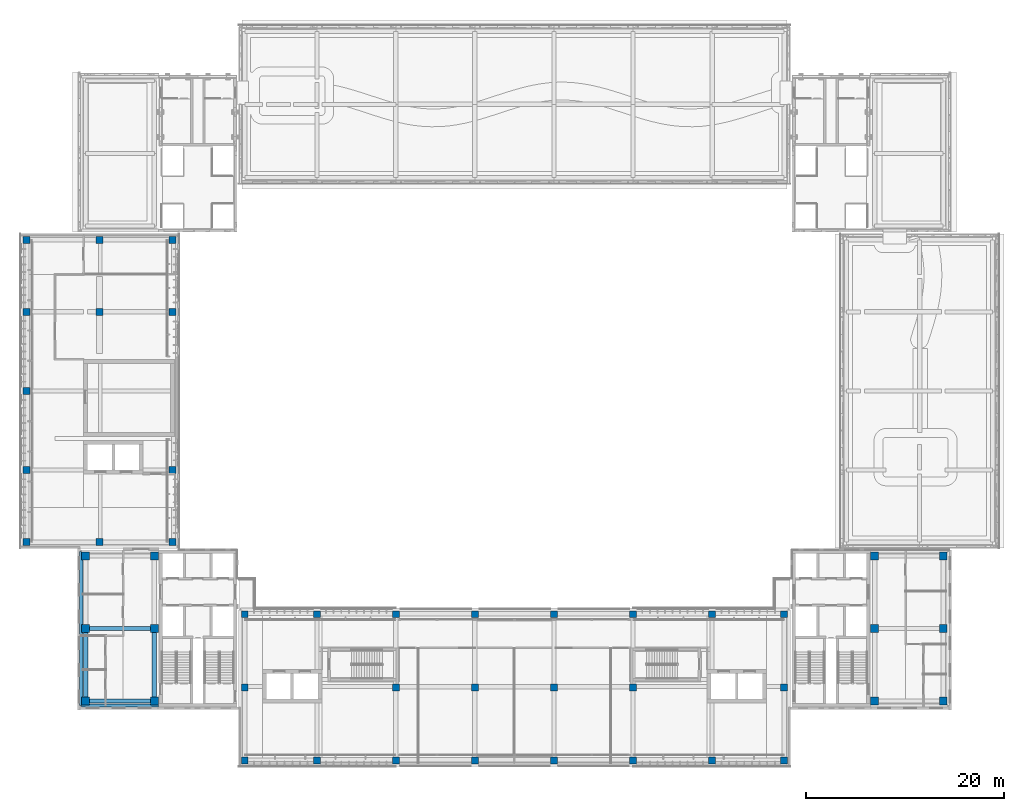
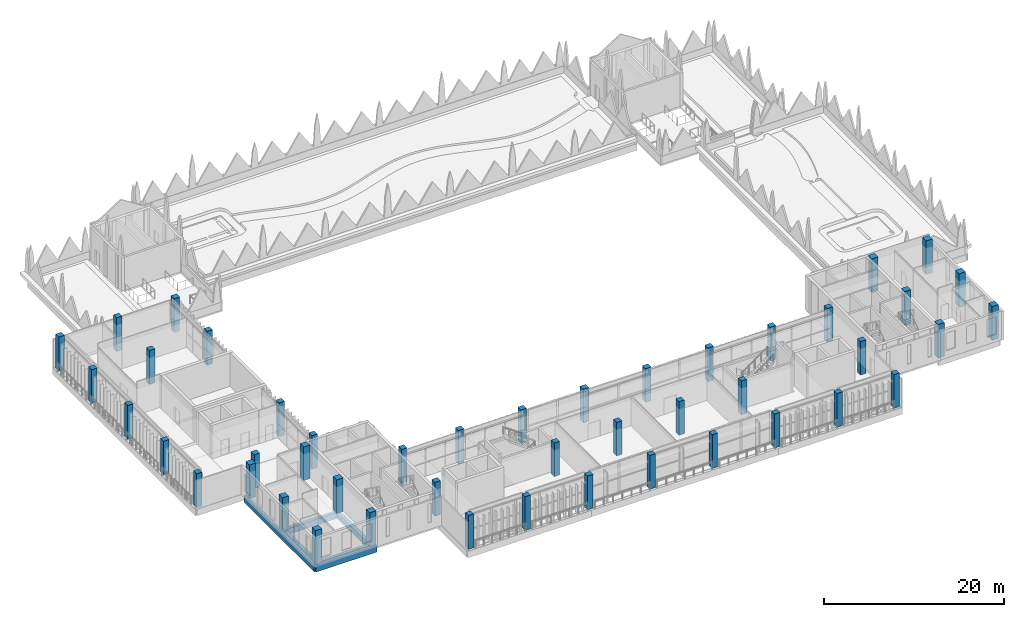
# One storey, part 1 of 46: 46 columns, 6 beams.
"""IFC4 building model written with IfcOpenShell, lengths in metres."""

from ifc_helpers import new_model, si_unit, direction, frame, origin, origin_2d, place, context, subcontext, project, spatial, rectangle, extrude, material, material_profile, profile_set, type_object, element, save


model = new_model("IFC4")

# Units and contexts
model_context = context("Model", 3, precision=1e-05, world=origin(), true_north=direction((0.0, 1.0)))
body_context = subcontext(model_context, "Body", "Model", "MODEL_VIEW")
ifc_project = project(units=[si_unit("LENGTHUNIT", "METRE"), si_unit("AREAUNIT", "SQUARE_METRE"), si_unit("VOLUMEUNIT", "CUBIC_METRE"), si_unit("PLANEANGLEUNIT", "RADIAN"), si_unit("MASSUNIT", "GRAM", prefix="KILO")], contexts=[model_context])

# Site, building, storey
site_placement = place(None, origin())
site = spatial("IfcSite", under=ifc_project, at=site_placement, CompositionType="ELEMENT")
building_placement = place(site_placement, origin())
building = spatial("IfcBuilding", under=site, at=building_placement, Name="Lantern Court Media Centre", CompositionType="ELEMENT")
storey_placement = place(building_placement, frame((0.0, 0.0, 28.800048828125)))
storey = spatial("IfcBuildingStorey", under=building, at=storey_placement, Name="L06", CompositionType="ELEMENT", Elevation=28.800048828125)

# Columns
ifc_material = material(Name="Concrete C35", Category="concrete")
ifc_material_profile_1 = material_profile(ifc_material, rectangle(XDim=0.699951171875, YDim=0.699951171875, at=origin_2d()), Name="RC 700x700")
ifc_profile_set_1 = profile_set([ifc_material_profile_1], Name="Concrete C35")
column_type_1 = type_object("IfcColumnType", Name="RC COLUMN 700x700", PredefinedType="COLUMN", material=ifc_profile_set_1)
for number, where, z_axis, x_axis, name in (
    (1, (24.699951171875, 42.60009765625, 0.0), (0.0, 0.0, 1.0), (1.0, 0.0, 0.0), "C-S-0-0-L06"),
    (2, (32.0, 42.60009765625, 0.0), (0.0, 0.0, 1.0), (1.0, 0.0, 0.0), "C-S-0-1-L06"),
    (3, (40.0, 42.60009765625, 0.0), (0.0, 0.0, 1.0), (1.0, 0.0, 0.0), "C-S-0-2-L06"),
    (4, (48.0, 42.60009765625, 0.0), (0.0, 0.0, 1.0), (1.0, 0.0, 0.0), "C-S-0-3-L06"),
    (5, (56.0, 42.60009765625, 0.0), (0.0, 0.0, 1.0), (1.0, 0.0, 0.0), "C-S-0-4-L06"),
    (6, (64.0, 42.60009765625, 0.0), (0.0, 0.0, 1.0), (1.0, 0.0, 0.0), "C-S-0-5-L06"),
    (7, (72.0, 42.60009765625, 0.0), (0.0, 0.0, 1.0), (1.0, 0.0, 0.0), "C-S-0-6-L06"),
    (8, (79.300048828125, 42.60009765625, 0.0), (0.0, 0.0, 1.0), (1.0, 0.0, 0.0), "C-S-0-7-L06"),
    (9, (24.699951171875, 50.0, 0.0), (0.0, 0.0, 1.0), (1.0, 0.0, 0.0), "C-S-1-0-L06"),
    (10, (40.0, 50.0, 0.0), (0.0, 0.0, 1.0), (1.0, 0.0, 0.0), "C-S-1-2-L06"),
    (11, (48.0, 50.0, 0.0), (0.0, 0.0, 1.0), (1.0, 0.0, 0.0), "C-S-1-3-L06"),
    (12, (56.0, 50.0, 0.0), (0.0, 0.0, 1.0), (1.0, 0.0, 0.0), "C-S-1-4-L06"),
    (13, (64.0, 50.0, 0.0), (0.0, 0.0, 1.0), (1.0, 0.0, 0.0), "C-S-1-5-L06"),
    (14, (79.300048828125, 50.0, 0.0), (0.0, 0.0, 1.0), (1.0, 0.0, 0.0), "C-S-1-7-L06"),
    (15, (24.699951171875, 57.39990234375, 0.0), (0.0, 0.0, 1.0), (1.0, 0.0, 0.0), "C-S-2-0-L06"),
    (16, (32.0, 57.39990234375, 0.0), (0.0, 0.0, 1.0), (1.0, 0.0, 0.0), "C-S-2-1-L06"),
    (17, (40.0, 57.39990234375, 0.0), (0.0, 0.0, 1.0), (1.0, 0.0, 0.0), "C-S-2-2-L06"),
    (18, (48.0, 57.39990234375, 0.0), (0.0, 0.0, 1.0), (1.0, 0.0, 0.0), "C-S-2-3-L06"),
    (19, (56.0, 57.39990234375, 0.0), (0.0, 0.0, 1.0), (1.0, 0.0, 0.0), "C-S-2-4-L06"),
    (20, (64.0, 57.39990234375, 0.0), (0.0, 0.0, 1.0), (1.0, 0.0, 0.0), "C-S-2-5-L06"),
    (21, (72.0, 57.39990234375, 0.0), (0.0, 0.0, 1.0), (1.0, 0.0, 0.0), "C-S-2-6-L06"),
    (22, (79.300048828125, 57.39990234375, 0.0), (0.0, 0.0, 1.0), (1.0, 0.0, 0.0), "C-S-2-7-L06"),
    (23, (2.60009765625, 64.699951171875, 0.0), (0.0, 0.0, 1.0), (1.0, 0.0, 0.0), "C-W-0-0-L06"),
    (24, (2.60009765625, 72.0, 0.0), (0.0, 0.0, 1.0), (1.0, 0.0, 0.0), "C-W-0-1-L06"),
    (25, (2.60009765625, 80.0, 0.0), (0.0, 0.0, 1.0), (1.0, 0.0, 0.0), "C-W-0-2-L06"),
    (26, (2.60009765625, 88.0, 0.0), (0.0, 0.0, 1.0), (1.0, 0.0, 0.0), "C-W-0-3-L06"),
    (27, (2.60009765625, 95.300048828125, 0.0), (0.0, 0.0, 1.0), (1.0, 0.0, 0.0), "C-W-0-4-L06"),
    (28, (10.0, 64.699951171875, 0.0), (0.0, 0.0, 1.0), (1.0, 0.0, 0.0), "C-W-1-0-L06"),
    (29, (10.0, 88.0, 0.0), (0.0, 0.0, 1.0), (1.0, 0.0, 0.0), "C-W-1-3-L06"),
    (30, (10.0, 95.300048828125, 0.0), (0.0, 0.0, 1.0), (1.0, 0.0, 0.0), "C-W-1-4-L06"),
    (31, (17.39990234375, 64.699951171875, 0.0), (0.0, 0.0, 1.0), (1.0, 0.0, 0.0), "C-W-2-0-L06"),
    (32, (17.39990234375, 72.0, 0.0), (0.0, 0.0, 1.0), (1.0, 0.0, 0.0), "C-W-2-1-L06"),
    (33, (17.39990234375, 88.0, 0.0), (0.0, 0.0, 1.0), (1.0, 0.0, 0.0), "C-W-2-3-L06"),
    (34, (17.39990234375, 95.300048828125, 0.0), (0.0, 0.0, 1.0), (1.0, 0.0, 0.0), "C-W-2-4-L06"),
):
    element("IfcColumn", number, at=place(storey_placement, frame(where, z_axis=z_axis, x_axis=x_axis)), inside=storey, type_object=column_type_1, Name=name, PredefinedType="COLUMN", context=body_context, shape_type="SweptSolid", body=[
        extrude(rectangle(XDim=0.699951171875, YDim=0.699951171875, at=origin_2d()), origin(), (0.0, 0.0, 1.0), 4.579833984375),
    ])
ifc_material_profile_2 = material_profile(ifc_material, rectangle(XDim=0.800048828125, YDim=0.800048828125, at=origin_2d()), Name="RC 800x800")
ifc_profile_set_2 = profile_set([ifc_material_profile_2], Name="Concrete C35")
column_type_2 = type_object("IfcColumnType", Name="RC COLUMN 800x800", PredefinedType="COLUMN", material=ifc_profile_set_2)
for number, where, z_axis, x_axis, name in (
    (35, (8.60009765625, 48.60009765625, 0.0), (0.0, 0.0, 1.0), (1.0, 0.0, 0.0), "C-SW-0-L06"),
    (36, (8.60009765625, 55.949951171875, 0.0), (0.0, 0.0, 1.0), (1.0, 0.0, 0.0), "C-SW-1-L06"),
    (37, (8.60009765625, 63.300048828125, 0.0), (0.0, 0.0, 1.0), (1.0, 0.0, 0.0), "C-SW-2-L06"),
    (38, (15.550048828125, 48.60009765625, 0.0), (0.0, 0.0, 1.0), (1.0, 0.0, 0.0), "C-SW-3-L06"),
    (39, (15.550048828125, 55.949951171875, 0.0), (0.0, 0.0, 1.0), (1.0, 0.0, 0.0), "C-SW-4-L06"),
    (40, (15.550048828125, 63.300048828125, 0.0), (0.0, 0.0, 1.0), (1.0, 0.0, 0.0), "C-SW-5-L06"),
    (41, (88.449951171875, 48.60009765625, 0.0), (0.0, 0.0, 1.0), (1.0, 0.0, 0.0), "C-SE-0-L06"),
    (42, (88.449951171875, 55.949951171875, 0.0), (0.0, 0.0, 1.0), (1.0, 0.0, 0.0), "C-SE-1-L06"),
    (43, (88.449951171875, 63.300048828125, 0.0), (0.0, 0.0, 1.0), (1.0, 0.0, 0.0), "C-SE-2-L06"),
    (44, (95.39990234375, 48.60009765625, 0.0), (0.0, 0.0, 1.0), (1.0, 0.0, 0.0), "C-SE-3-L06"),
    (45, (95.39990234375, 55.949951171875, 0.0), (0.0, 0.0, 1.0), (1.0, 0.0, 0.0), "C-SE-4-L06"),
    (46, (95.39990234375, 63.300048828125, 0.0), (0.0, 0.0, 1.0), (1.0, 0.0, 0.0), "C-SE-5-L06"),
):
    element("IfcColumn", number, at=place(storey_placement, frame(where, z_axis=z_axis, x_axis=x_axis)), inside=storey, type_object=column_type_2, Name=name, PredefinedType="COLUMN", context=body_context, shape_type="SweptSolid", body=[
        extrude(rectangle(XDim=0.800048828125, YDim=0.800048828125, at=origin_2d()), origin(), (0.0, 0.0, 1.0), 4.579833984375),
    ])

# Beams
ifc_material_profile_3 = material_profile(ifc_material, rectangle(XDim=0.300048828125, YDim=0.89990234375, at=origin_2d()), Name="RC 300x900")
ifc_profile_set_3 = profile_set([ifc_material_profile_3], Name="Concrete C35")
beam_type_1 = type_object("IfcBeamType", Name="RC BEAM 300x900", PredefinedType="BEAM", material=ifc_profile_set_3)
beam_1_placement = place(storey_placement, frame((8.14990234375, 48.14990234375, -0.449951171875), z_axis=(1.0, 0.0, 0.0), x_axis=(0.0, 1.0, 0.0)))
element("IfcBeam", 47, at=beam_1_placement, inside=storey, type_object=beam_type_1, Name="EB-SW-L06-S", PredefinedType="BEAM", context=body_context, shape_type="SweptSolid", body=[
    extrude(rectangle(XDim=0.300048828125, YDim=0.89990234375, at=origin_2d()), origin(), (0.0, 0.0, 1.0), 7.830078125),
])
ifc_material_profile_4 = material_profile(ifc_material, rectangle(XDim=0.35009765625, YDim=0.89990234375, at=origin_2d()), Name="RC 350x900")
ifc_profile_set_4 = profile_set([ifc_material_profile_4], Name="Concrete C35")
beam_type_2 = type_object("IfcBeamType", Name="RC BEAM 350x900", PredefinedType="BEAM", material=ifc_profile_set_4)
beam_2_placement = place(storey_placement, frame((8.14990234375, 48.14990234375, -0.449951171875), z_axis=(0.0, 1.0, 0.0), x_axis=(-1.0, 0.0, 0.0)))
element("IfcBeam", 48, at=beam_2_placement, inside=storey, type_object=beam_type_2, Name="EB-SW-L06-W", PredefinedType="BEAM", context=body_context, shape_type="SweptSolid", body=[
    extrude(rectangle(XDim=0.35009765625, YDim=0.89990234375, at=origin_2d()), origin(), (0.0, 0.0, 1.0), 15.60009765625),
])
ifc_material_profile_5 = material_profile(ifc_material, rectangle(XDim=0.39990234375, YDim=0.800048828125, at=origin_2d()), Name="RC 400x800")
ifc_profile_set_5 = profile_set([ifc_material_profile_5], Name="Concrete C35")
beam_type_3 = type_object("IfcBeamType", Name="RC BEAM 400x800", PredefinedType="BEAM", material=ifc_profile_set_5)
for number, where, z_axis, x_axis, name in (
    (49, (8.60009765625, 48.60009765625, -0.400146484375), (1.0, 0.0, 0.0), (0.0, 1.0, 0.0), "BB-SW-L06-Y0-48"),
    (50, (8.60009765625, 55.949951171875, -0.400146484375), (1.0, 0.0, 0.0), (0.0, 1.0, 0.0), "BB-SW-L06-Y0-55"),
):
    element("IfcBeam", number, at=place(storey_placement, frame(where, z_axis=z_axis, x_axis=x_axis)), inside=storey, type_object=beam_type_3, Name=name, PredefinedType="BEAM", context=body_context, shape_type="SweptSolid", body=[
        extrude(rectangle(XDim=0.39990234375, YDim=0.800048828125, at=origin_2d()), origin(), (0.0, 0.0, 1.0), 6.949951171875),
    ])
ifc_material_profile_6 = material_profile(ifc_material, rectangle(XDim=0.449951171875, YDim=0.800048828125, at=origin_2d()), Name="RC 450x800")
ifc_profile_set_6 = profile_set([ifc_material_profile_6], Name="Concrete C35")
beam_type_4 = type_object("IfcBeamType", Name="RC BEAM 450x800", PredefinedType="BEAM", material=ifc_profile_set_6)
for number, where, z_axis, x_axis, name in (
    (51, (8.60009765625, 48.60009765625, -0.400146484375), (0.0, 1.0, 0.0), (-1.0, 0.0, 0.0), "BB-SW-L06-X0-8"),
    (52, (15.550048828125, 48.60009765625, -0.400146484375), (0.0, 1.0, 0.0), (-1.0, 0.0, 0.0), "BB-SW-L06-X0-15"),
):
    element("IfcBeam", number, at=place(storey_placement, frame(where, z_axis=z_axis, x_axis=x_axis)), inside=storey, type_object=beam_type_4, Name=name, PredefinedType="BEAM", context=body_context, shape_type="SweptSolid", body=[
        extrude(rectangle(XDim=0.449951171875, YDim=0.800048828125, at=origin_2d()), origin(), (0.0, 0.0, 1.0), 7.349853515625),
    ])

save(model, "model.ifc")
